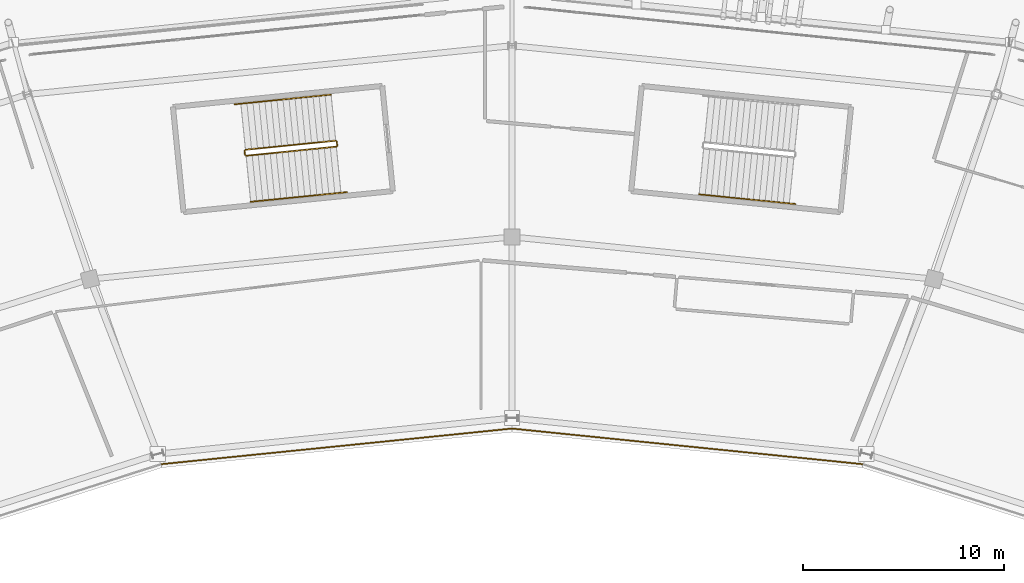
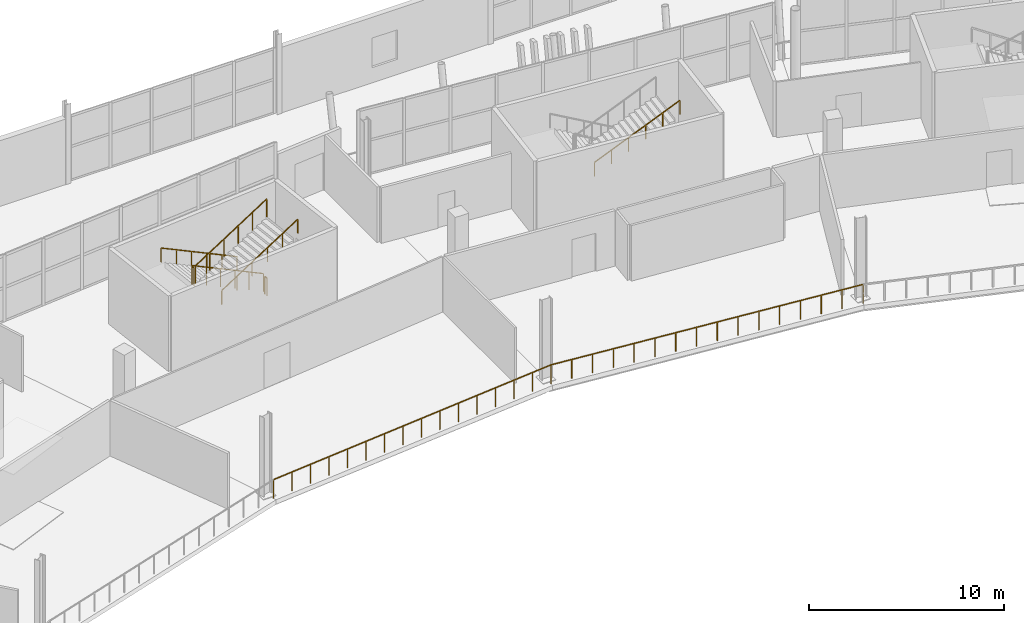
# One storey, part 175 of 179: 9 railings.
"""IFC4 building model written with IfcOpenShell, lengths in metres."""

import ifcopenshell
import ifcopenshell.guid

model = None  # the IFC model being written
_history = None  # IfcOwnerHistory: only IFC2X3 demands one
_inside = {}  # id of a spatial element -> (the spatial element, [elements in it])
_under = {}  # id of a project, library or spatial element -> (it, [spatial elements below it])
_declared = {}  # id of a project -> (the project, [libraries it declares])
_typed = {}  # id of a type object -> (the type object, [elements of that type])
_made_of = {}  # id of a material, layer set ... -> (it, [elements and type objects made of it])


def new_model(schema):
    """Start an empty IFC model of exactly this schema.

    Asked for "IFC4X3", IfcOpenShell would pick the latest addendum, in which some entities
    have other attributes; the version numbers below select the first issue.
    IFC2X3 requires an IfcOwnerHistory on every rooted entity: one is made here for all.
    """
    global model, _history
    if schema == "IFC4X3":
        model = ifcopenshell.file(schema_version=(4, 3, 0, 0))
    else:
        model = ifcopenshell.file(schema=schema)
    _inside.clear()
    _under.clear()
    _declared.clear()
    _typed.clear()
    _made_of.clear()
    _history = None
    if model.schema == "IFC2X3":
        org = make("IfcOrganization", Name="unknown")
        user = make(
            "IfcPersonAndOrganization",
            ThePerson=make("IfcPerson", FamilyName="unknown"),
            TheOrganization=org,
        )
        app = make(
            "IfcApplication",
            ApplicationDeveloper=org,
            Version="unknown",
            ApplicationFullName="unknown",
            ApplicationIdentifier="unknown",
        )
        _history = make(
            "IfcOwnerHistory",
            OwningUser=user,
            OwningApplication=app,
            ChangeAction="ADDED",
            CreationDate=0,
        )
    return model


def make(cls, **values):
    """One entity of the class cls with the attributes given. An attribute that is None is left unset."""
    return model.create_entity(
        cls, **{name: value for name, value in values.items() if value is not None}
    )


def rooted(cls, **values):
    """An entity with a GlobalId (a new one), such as an element, a storey or a relation."""
    return make(cls, GlobalId=ifcopenshell.guid.new(), OwnerHistory=_history, **values)


def si_unit(unit_type, name, prefix=None):
    """IfcSIUnit, for example si_unit("LENGTHUNIT", "METRE", prefix="MILLI")."""
    return make("IfcSIUnit", UnitType=unit_type, Prefix=prefix, Name=name)


def assignment(units):
    """IfcUnitAssignment: the units of a project."""
    return None if units is None else make("IfcUnitAssignment", Units=units)


def point(xyz):
    """IfcCartesianPoint."""
    return None if xyz is None else make("IfcCartesianPoint", Coordinates=xyz)


def direction(xyz):
    """IfcDirection."""
    return None if xyz is None else make("IfcDirection", DirectionRatios=xyz)


def frame(location, z_axis=None, x_axis=None):
    """IfcAxis2Placement3D, a coordinate frame: its origin and axes. An axis left out is left unset."""
    return make(
        "IfcAxis2Placement3D",
        Location=point(location),
        Axis=direction(z_axis),
        RefDirection=direction(x_axis),
    )


def frame_2d(location, x_axis=None):
    """IfcAxis2Placement2D, a coordinate frame in the plane: its origin and x axis."""
    return make(
        "IfcAxis2Placement2D", Location=point(location), RefDirection=direction(x_axis)
    )


def origin():
    """The frame at (0, 0, 0) with its axes left unset."""
    return frame((0.0, 0.0, 0.0))


def origin_2d():
    """The frame at (0, 0) in the plane with its x axis left unset."""
    return frame_2d((0.0, 0.0))


def place(relative_to, where):
    """IfcLocalPlacement: puts the frame where relative to a parent placement (None: the world)."""
    return make(
        "IfcLocalPlacement", PlacementRelTo=relative_to, RelativePlacement=where
    )


def context(
    kind, dimensions, precision=None, world=None, true_north=None, identifier=None
):
    """IfcGeometricRepresentationContext, for example the 3D "Model" context."""
    return make(
        "IfcGeometricRepresentationContext",
        ContextIdentifier=identifier,
        ContextType=kind,
        CoordinateSpaceDimension=dimensions,
        Precision=precision,
        WorldCoordinateSystem=world,
        TrueNorth=true_north,
    )


def subcontext(parent, identifier, kind, view, scale=None):
    """IfcGeometricRepresentationSubContext, for example "Body" below "Model"."""
    return make(
        "IfcGeometricRepresentationSubContext",
        ContextIdentifier=identifier,
        ContextType=kind,
        ParentContext=parent,
        TargetScale=scale,
        TargetView=view,
    )


def project(units=None, contexts=None):
    """IfcProject with its units and contexts."""
    return rooted(
        "IfcProject",
        Name="project",
        RepresentationContexts=contexts,
        UnitsInContext=assignment(units),
    )


def spatial(cls, under=None, at=None, **own):
    """A site, building, storey or space (cls), placed at a placement, below another one or the project."""
    s = rooted(cls, ObjectPlacement=at, **own)
    if under is not None:
        _under.setdefault(under.id(), (under, []))[1].append(s)
    return s


def profile(cls, at=None, kind="AREA", **sizes):
    """A parametric profile (cls). Its sizes go by their IFC names, for example OverallWidth=200.0."""
    return make(cls, ProfileType=kind, Position=at, **sizes)


def rectangle(**sizes):
    """IfcRectangleProfileDef."""
    return profile("IfcRectangleProfileDef", **sizes)


def extrude(swept, where, along, depth):
    """IfcExtrudedAreaSolid: the profile swept, set in the frame where, extruded along a direction by depth."""
    return make(
        "IfcExtrudedAreaSolid",
        SweptArea=swept,
        Position=where,
        ExtrudedDirection=direction(along),
        Depth=depth,
    )


def shape(context_of_items, identifier, shape_type, items):
    """IfcShapeRepresentation: the items that make up one representation, for example the "Body"."""
    return make(
        "IfcShapeRepresentation",
        ContextOfItems=context_of_items,
        RepresentationIdentifier=identifier,
        RepresentationType=shape_type,
        Items=items,
    )


def material(Name=None, Category=None):
    """IfcMaterial."""
    return make("IfcMaterial", Name=Name, Category=Category)


def made_of(thing, what):
    """Note that an element or type object is made of a material, layer set ...; save() writes the relation."""
    if what is not None:
        _made_of.setdefault(what.id(), (what, []))[1].append(thing)
    return thing


def type_object(cls, material=None, **own):
    """A type object (cls), such as IfcWallType, which elements share."""
    return made_of(rooted(cls, **own), material)


def element(
    cls,
    number,
    at=None,
    inside=None,
    cuts=None,
    type_object=None,
    material=None,
    context=None,
    identifier="Body",
    shape_type=None,
    held_by="IfcProductDefinitionShape",
    body=None,
    shapes=None,
    **own,
):
    """One element of the class cls, such as IfcWall. Its Tag is "e" and its number.

    at: its placement. inside: the storey or other place that contains it. cuts: it is an
    opening in that element (IfcRelVoidsElement). A single representation is given by context,
    identifier, shape_type and body (its items); several are given by shapes. held_by: the class
    of the entity that holds the representations. save() writes the other relations.
    """
    e = rooted(cls, Tag="e%d" % number, ObjectPlacement=at, **own)
    if body is not None:
        shapes = [shape(context, identifier, shape_type, body)]
    if shapes is not None:
        e.Representation = make(held_by, Representations=shapes)
    if inside is not None:
        _inside.setdefault(inside.id(), (inside, []))[1].append(e)
    if cuts is not None:
        rooted(
            "IfcRelVoidsElement", RelatingBuildingElement=cuts, RelatedOpeningElement=e
        )
    if type_object is not None:
        _typed.setdefault(type_object.id(), (type_object, []))[1].append(e)
    return made_of(e, material)


def aggregate(whole, parts):
    """IfcRelAggregates: a whole, such as a stair, and the parts it consists of."""
    return rooted("IfcRelAggregates", RelatingObject=whole, RelatedObjects=parts)


def save(model, path):
    """Write the relations noted so far, then the file.

    IfcRelAggregates (storeys below a building ...), IfcRelContainedInSpatialStructure (elements
    in a storey), IfcRelDefinesByType, IfcRelAssociatesMaterial and IfcRelDeclares: one each for
    every whole, place, type object, material and project.
    """
    for whole, parts in _under.values():
        aggregate(whole, parts)
    for where, things in _inside.values():
        rooted(
            "IfcRelContainedInSpatialStructure",
            RelatedElements=things,
            RelatingStructure=where,
        )
    for kind, things in _typed.values():
        rooted("IfcRelDefinesByType", RelatedObjects=things, RelatingType=kind)
    for what, things in _made_of.values():
        rooted("IfcRelAssociatesMaterial", RelatedObjects=things, RelatingMaterial=what)
    for by, libraries in _declared.values():
        rooted("IfcRelDeclares", RelatingContext=by, RelatedDefinitions=libraries)
    model.write(path)


model = new_model("IFC4")

# Units and contexts
model_context = context("Model", 3, precision=1e-05, world=origin(), true_north=direction((0.0, 1.0)))
body_context = subcontext(model_context, "Body", "Model", "MODEL_VIEW")
ifc_project = project(units=[si_unit("LENGTHUNIT", "METRE"), si_unit("AREAUNIT", "SQUARE_METRE"), si_unit("VOLUMEUNIT", "CUBIC_METRE"), si_unit("PLANEANGLEUNIT", "RADIAN"), si_unit("MASSUNIT", "GRAM", prefix="KILO")], contexts=[model_context])

# Site, building, storey
site_placement = place(None, origin())
site = spatial("IfcSite", under=ifc_project, at=site_placement, CompositionType="ELEMENT")
building_placement = place(site_placement, origin())
building = spatial("IfcBuilding", under=site, at=building_placement, Name="Zlatoyarsky Gate Stadium", CompositionType="ELEMENT")
storey_placement = place(building_placement, frame((0.0, 0.0, 10.60009765625)))
storey = spatial("IfcBuildingStorey", under=building, at=storey_placement, Name="L02", CompositionType="ELEMENT", Elevation=10.60009765625)

# Railings
ifc_material_1 = material(Name="Powder-coated steel tubular guardrail", Category="steel")
railing_type_1 = type_object("IfcRailingType", Name="CONCOURSE SLAB EDGE GUARDRAIL 1200", PredefinedType="GUARDRAIL", material=ifc_material_1)
railing_1_placement = place(storey_placement, frame((128.439208984375, 130.208740234375, 0.0)))
element("IfcRailing", 1, at=railing_1_placement, inside=storey, type_object=railing_type_1, Name="L02 inner bowl edge guardrail 05", PredefinedType="GUARDRAIL", context=body_context, shape_type="SweptSolid", body=[
    extrude(rectangle(XDim=0.048095703125, YDim=0.048095703125, at=origin_2d()), frame((0.0, 0.0, 1.17578125), z_axis=(-0.994881683928, 0.101046697049, 0.0), x_axis=(-0.101046697049, -0.994881683928, 0.0)), (0.0, 0.0, 1.0), 17.52880859375),
    extrude(rectangle(XDim=0.0419921875, YDim=0.0419921875, at=origin_2d()), origin(), (0.0, 0.0, 1.0), 1.15185546875),
    extrude(rectangle(XDim=0.0419921875, YDim=0.0419921875, at=origin_2d()), frame((-1.16259765625, 0.1181640625, 0.0)), (0.0, 0.0, 1.0), 1.15185546875),
    extrude(rectangle(XDim=0.0419921875, YDim=0.0419921875, at=origin_2d()), frame((-2.3251953125, 0.236083984375, 0.0)), (0.0, 0.0, 1.0), 1.15185546875),
    extrude(rectangle(XDim=0.0419921875, YDim=0.0419921875, at=origin_2d()), frame((-3.48779296875, 0.354248046875, 0.0)), (0.0, 0.0, 1.0), 1.15185546875),
    extrude(rectangle(XDim=0.0419921875, YDim=0.0419921875, at=origin_2d()), frame((-4.650390625, 0.472412109375, 0.0)), (0.0, 0.0, 1.0), 1.15185546875),
    extrude(rectangle(XDim=0.0419921875, YDim=0.0419921875, at=origin_2d()), frame((-5.81298828125, 0.59033203125, 0.0)), (0.0, 0.0, 1.0), 1.15185546875),
    extrude(rectangle(XDim=0.0419921875, YDim=0.0419921875, at=origin_2d()), frame((-6.9755859375, 0.70849609375, 0.0)), (0.0, 0.0, 1.0), 1.15185546875),
    extrude(rectangle(XDim=0.0419921875, YDim=0.0419921875, at=origin_2d()), frame((-8.13818359375, 0.82666015625, 0.0)), (0.0, 0.0, 1.0), 1.15185546875),
    extrude(rectangle(XDim=0.0419921875, YDim=0.0419921875, at=origin_2d()), frame((-9.301025390625, 0.944580078125, 0.0)), (0.0, 0.0, 1.0), 1.15185546875),
    extrude(rectangle(XDim=0.0419921875, YDim=0.0419921875, at=origin_2d()), frame((-10.463623046875, 1.062744140625, 0.0)), (0.0, 0.0, 1.0), 1.15185546875),
    extrude(rectangle(XDim=0.0419921875, YDim=0.0419921875, at=origin_2d()), frame((-11.626220703125, 1.180908203125, 0.0)), (0.0, 0.0, 1.0), 1.15185546875),
    extrude(rectangle(XDim=0.0419921875, YDim=0.0419921875, at=origin_2d()), frame((-12.788818359375, 1.298828125, 0.0)), (0.0, 0.0, 1.0), 1.15185546875),
    extrude(rectangle(XDim=0.0419921875, YDim=0.0419921875, at=origin_2d()), frame((-13.951416015625, 1.4169921875, 0.0)), (0.0, 0.0, 1.0), 1.15185546875),
    extrude(rectangle(XDim=0.0419921875, YDim=0.0419921875, at=origin_2d()), frame((-15.114013671875, 1.53515625, 0.0)), (0.0, 0.0, 1.0), 1.15185546875),
    extrude(rectangle(XDim=0.0419921875, YDim=0.0419921875, at=origin_2d()), frame((-16.276611328125, 1.653076171875, 0.0)), (0.0, 0.0, 1.0), 1.15185546875),
    extrude(rectangle(XDim=0.0419921875, YDim=0.0419921875, at=origin_2d()), frame((-17.439208984375, 1.771240234375, 0.0)), (0.0, 0.0, 1.0), 1.15185546875),
])
railing_2_placement = place(storey_placement, frame((111.0, 131.97998046875, 0.0)))
element("IfcRailing", 2, at=railing_2_placement, inside=storey, type_object=railing_type_1, Name="L02 inner bowl edge guardrail 06", PredefinedType="GUARDRAIL", context=body_context, shape_type="SweptSolid", body=[
    extrude(rectangle(XDim=0.048095703125, YDim=0.048095703125, at=origin_2d()), frame((0.0, 0.0, 1.17578125), z_axis=(-0.994881683928, -0.101046697049, 0.0), x_axis=(0.101046697049, -0.994881683928, 0.0)), (0.0, 0.0, 1.0), 17.52880859375),
    extrude(rectangle(XDim=0.0419921875, YDim=0.0419921875, at=origin_2d()), origin(), (0.0, 0.0, 1.0), 1.15185546875),
    extrude(rectangle(XDim=0.0419921875, YDim=0.0419921875, at=origin_2d()), frame((-1.16259765625, -0.1181640625, 0.0)), (0.0, 0.0, 1.0), 1.15185546875),
    extrude(rectangle(XDim=0.0419921875, YDim=0.0419921875, at=origin_2d()), frame((-2.3251953125, -0.236083984375, 0.0)), (0.0, 0.0, 1.0), 1.15185546875),
    extrude(rectangle(XDim=0.0419921875, YDim=0.0419921875, at=origin_2d()), frame((-3.48779296875, -0.354248046875, 0.0)), (0.0, 0.0, 1.0), 1.15185546875),
    extrude(rectangle(XDim=0.0419921875, YDim=0.0419921875, at=origin_2d()), frame((-4.650390625, -0.472412109375, 0.0)), (0.0, 0.0, 1.0), 1.15185546875),
    extrude(rectangle(XDim=0.0419921875, YDim=0.0419921875, at=origin_2d()), frame((-5.81298828125, -0.59033203125, 0.0)), (0.0, 0.0, 1.0), 1.15185546875),
    extrude(rectangle(XDim=0.0419921875, YDim=0.0419921875, at=origin_2d()), frame((-6.9755859375, -0.70849609375, 0.0)), (0.0, 0.0, 1.0), 1.15185546875),
    extrude(rectangle(XDim=0.0419921875, YDim=0.0419921875, at=origin_2d()), frame((-8.13818359375, -0.82666015625, 0.0)), (0.0, 0.0, 1.0), 1.15185546875),
    extrude(rectangle(XDim=0.0419921875, YDim=0.0419921875, at=origin_2d()), frame((-9.301025390625, -0.944580078125, 0.0)), (0.0, 0.0, 1.0), 1.15185546875),
    extrude(rectangle(XDim=0.0419921875, YDim=0.0419921875, at=origin_2d()), frame((-10.463623046875, -1.062744140625, 0.0)), (0.0, 0.0, 1.0), 1.15185546875),
    extrude(rectangle(XDim=0.0419921875, YDim=0.0419921875, at=origin_2d()), frame((-11.626220703125, -1.180908203125, 0.0)), (0.0, 0.0, 1.0), 1.15185546875),
    extrude(rectangle(XDim=0.0419921875, YDim=0.0419921875, at=origin_2d()), frame((-12.788818359375, -1.298828125, 0.0)), (0.0, 0.0, 1.0), 1.15185546875),
    extrude(rectangle(XDim=0.0419921875, YDim=0.0419921875, at=origin_2d()), frame((-13.951416015625, -1.4169921875, 0.0)), (0.0, 0.0, 1.0), 1.15185546875),
    extrude(rectangle(XDim=0.0419921875, YDim=0.0419921875, at=origin_2d()), frame((-15.114013671875, -1.53515625, 0.0)), (0.0, 0.0, 1.0), 1.15185546875),
    extrude(rectangle(XDim=0.0419921875, YDim=0.0419921875, at=origin_2d()), frame((-16.276611328125, -1.653076171875, 0.0)), (0.0, 0.0, 1.0), 1.15185546875),
    extrude(rectangle(XDim=0.0419921875, YDim=0.0419921875, at=origin_2d()), frame((-17.439208984375, -1.771240234375, 0.0)), (0.0, 0.0, 1.0), 1.15185546875),
])
ifc_material_2 = material(Name="Powder-coated steel stair guardrail", Category="steel")
railing_type_2 = type_object("IfcRailingType", Name="PAINTED STEEL STAIR WELL GUARDRAIL 1150", PredefinedType="GUARDRAIL", material=ifc_material_2)
railing_3_placement = place(storey_placement, frame((102.239013671875, 146.282470703125, 0.15625)))
element("IfcRailing", 3, at=railing_3_placement, inside=storey, type_object=railing_type_2, Name="ST-04 L02 stair guard 1", PredefinedType="GUARDRAIL", context=body_context, shape_type="SweptSolid", body=[
    extrude(rectangle(XDim=0.048095703125, YDim=0.048095703125, at=origin_2d()), frame((0.0, 0.0, 1.1259765625), z_axis=(-0.882473293179, -0.088680386005, 0.461927132743), x_axis=(0.099987144365, -0.994988729063, 0.0)), (0.0, 0.0, 1.0), 5.07373046875),
    extrude(rectangle(XDim=0.0419921875, YDim=0.0419921875, at=origin_2d()), origin(), (0.0, 0.0, 1.0), 1.101806640625),
    extrude(rectangle(XDim=0.0419921875, YDim=0.0419921875, at=origin_2d()), frame((-0.8955078125, -0.090087890625, 0.46875)), (0.0, 0.0, 1.0), 1.101806640625),
    extrude(rectangle(XDim=0.0419921875, YDim=0.0419921875, at=origin_2d()), frame((-1.791015625, -0.179931640625, 0.9375)), (0.0, 0.0, 1.0), 1.101806640625),
    extrude(rectangle(XDim=0.0419921875, YDim=0.0419921875, at=origin_2d()), frame((-2.6865234375, -0.27001953125, 1.40625)), (0.0, 0.0, 1.0), 1.101806640625),
    extrude(rectangle(XDim=0.0419921875, YDim=0.0419921875, at=origin_2d()), frame((-3.58203125, -0.35986328125, 1.875)), (0.0, 0.0, 1.0), 1.101806640625),
    extrude(rectangle(XDim=0.0419921875, YDim=0.0419921875, at=origin_2d()), frame((-4.4775390625, -0.449951171875, 2.34375)), (0.0, 0.0, 1.0), 1.101806640625),
])
railing_4_placement = place(storey_placement, frame((97.716796875, 145.77783203125, 2.5)))
element("IfcRailing", 4, at=railing_4_placement, inside=storey, type_object=railing_type_2, Name="ST-04 L02 stair guard 2", PredefinedType="GUARDRAIL", context=body_context, shape_type="SweptSolid", body=[
    extrude(rectangle(XDim=0.048095703125, YDim=0.048095703125, at=origin_2d()), frame((0.0, 0.0, 1.1259765625), z_axis=(0.100108072026, -0.994976569531, 0.0), x_axis=(0.994976569531, 0.100108072026, 0.0)), (0.0, 0.0, 1.0), 0.199951171875),
    extrude(rectangle(XDim=0.0419921875, YDim=0.0419921875, at=origin_2d()), origin(), (0.0, 0.0, 1.0), 1.101806640625),
    extrude(rectangle(XDim=0.0419921875, YDim=0.0419921875, at=origin_2d()), frame((0.02001953125, -0.198974609375, 0.0)), (0.0, 0.0, 1.0), 1.101806640625),
])
railing_5_placement = place(storey_placement, frame((97.79150390625, 145.533935546875, 2.65625)))
element("IfcRailing", 5, at=railing_5_placement, inside=storey, type_object=railing_type_2, Name="ST-04 L02 stair guard 3", PredefinedType="GUARDRAIL", context=body_context, shape_type="SweptSolid", body=[
    extrude(rectangle(XDim=0.048095703125, YDim=0.048095703125, at=origin_2d()), frame((0.0, 0.0, 1.1259765625), z_axis=(0.882458880114, 0.088731892411, 0.461944776111), x_axis=(-0.100046254416, 0.994982787277, 0.0)), (0.0, 0.0, 1.0), 5.07373046875),
    extrude(rectangle(XDim=0.0419921875, YDim=0.0419921875, at=origin_2d()), origin(), (0.0, 0.0, 1.0), 1.101806640625),
    extrude(rectangle(XDim=0.0419921875, YDim=0.0419921875, at=origin_2d()), frame((0.8955078125, 0.090087890625, 0.46875)), (0.0, 0.0, 1.0), 1.101806640625),
    extrude(rectangle(XDim=0.0419921875, YDim=0.0419921875, at=origin_2d()), frame((1.791015625, 0.18017578125, 0.9375)), (0.0, 0.0, 1.0), 1.101806640625),
    extrude(rectangle(XDim=0.0419921875, YDim=0.0419921875, at=origin_2d()), frame((2.686279296875, 0.27001953125, 1.40625)), (0.0, 0.0, 1.0), 1.101806640625),
    extrude(rectangle(XDim=0.0419921875, YDim=0.0419921875, at=origin_2d()), frame((3.581787109375, 0.360107421875, 1.875)), (0.0, 0.0, 1.0), 1.101806640625),
    extrude(rectangle(XDim=0.0419921875, YDim=0.0419921875, at=origin_2d()), frame((4.477294921875, 0.4501953125, 2.34375)), (0.0, 0.0, 1.0), 1.101806640625),
])
railing_6_placement = place(storey_placement, frame((102.293701171875, 146.23779296875, 0.0)))
element("IfcRailing", 6, at=railing_6_placement, inside=storey, type_object=railing_type_2, Name="ST-04 L02 stair guard 4", PredefinedType="GUARDRAIL", context=body_context, shape_type="SweptSolid", body=[
    extrude(rectangle(XDim=0.048095703125, YDim=0.048095703125, at=origin_2d()), frame((0.0, 0.0, 1.1259765625), z_axis=(0.100108072026, -0.994976569531, 0.0), x_axis=(0.994976569531, 0.100108072026, 0.0)), (0.0, 0.0, 1.0), 0.199951171875),
    extrude(rectangle(XDim=0.0419921875, YDim=0.0419921875, at=origin_2d()), origin(), (0.0, 0.0, 1.0), 1.101806640625),
    extrude(rectangle(XDim=0.0419921875, YDim=0.0419921875, at=origin_2d()), frame((0.02001953125, -0.198974609375, 0.0)), (0.0, 0.0, 1.0), 1.101806640625),
])
ifc_material_3 = material(Name="Brushed stainless steel 316 handrail", Category="steel")
railing_type_3 = type_object("IfcRailingType", Name="STAINLESS STEEL TUBULAR HANDRAIL 900", PredefinedType="HANDRAIL", material=ifc_material_3)
railing_7_placement = place(storey_placement, frame((102.0087890625, 148.571044921875, 0.16015625)))
element("IfcRailing", 7, at=railing_7_placement, inside=storey, type_object=railing_type_3, Name="ST-04 L02 stair handrail 1", PredefinedType="HANDRAIL", context=body_context, shape_type="SweptSolid", body=[
    extrude(rectangle(XDim=0.048095703125, YDim=0.048095703125, at=origin_2d()), frame((0.0, 0.0, 0.8759765625), z_axis=(-0.882466168718, -0.08868870707, 0.461939145674), x_axis=(0.099997231792, -0.994987715318, 0.0)), (0.0, 0.0, 1.0), 5.411865234375),
    extrude(rectangle(XDim=0.0419921875, YDim=0.0419921875, at=origin_2d()), origin(), (0.0, 0.0, 1.0), 0.851806640625),
    extrude(rectangle(XDim=0.0419921875, YDim=0.0419921875, at=origin_2d()), frame((-0.955078125, -0.095947265625, 0.5)), (0.0, 0.0, 1.0), 0.851806640625),
    extrude(rectangle(XDim=0.0419921875, YDim=0.0419921875, at=origin_2d()), frame((-1.910400390625, -0.19189453125, 1.0)), (0.0, 0.0, 1.0), 0.851806640625),
    extrude(rectangle(XDim=0.0419921875, YDim=0.0419921875, at=origin_2d()), frame((-2.865478515625, -0.2880859375, 1.5)), (0.0, 0.0, 1.0), 0.851806640625),
    extrude(rectangle(XDim=0.0419921875, YDim=0.0419921875, at=origin_2d()), frame((-3.82080078125, -0.384033203125, 2.0)), (0.0, 0.0, 1.0), 0.851806640625),
    extrude(rectangle(XDim=0.0419921875, YDim=0.0419921875, at=origin_2d()), frame((-4.77587890625, -0.47998046875, 2.5)), (0.0, 0.0, 1.0), 0.851806640625),
])
railing_8_placement = place(storey_placement, frame((98.021484375, 143.24560546875, 2.66015625)))
element("IfcRailing", 8, at=railing_8_placement, inside=storey, type_object=railing_type_3, Name="ST-04 L02 stair handrail 2", PredefinedType="HANDRAIL", context=body_context, shape_type="SweptSolid", body=[
    extrude(rectangle(XDim=0.048095703125, YDim=0.048095703125, at=origin_2d()), frame((0.0, 0.0, 0.8759765625), z_axis=(0.882466168718, 0.08868870707, 0.461939145674), x_axis=(-0.099997231792, 0.994987715318, 0.0)), (0.0, 0.0, 1.0), 5.411865234375),
    extrude(rectangle(XDim=0.0419921875, YDim=0.0419921875, at=origin_2d()), origin(), (0.0, 0.0, 1.0), 0.851806640625),
    extrude(rectangle(XDim=0.0419921875, YDim=0.0419921875, at=origin_2d()), frame((0.955078125, 0.095947265625, 0.5)), (0.0, 0.0, 1.0), 0.851806640625),
    extrude(rectangle(XDim=0.0419921875, YDim=0.0419921875, at=origin_2d()), frame((1.910400390625, 0.19189453125, 1.0)), (0.0, 0.0, 1.0), 0.851806640625),
    extrude(rectangle(XDim=0.0419921875, YDim=0.0419921875, at=origin_2d()), frame((2.865478515625, 0.2880859375, 1.5)), (0.0, 0.0, 1.0), 0.851806640625),
    extrude(rectangle(XDim=0.0419921875, YDim=0.0419921875, at=origin_2d()), frame((3.82080078125, 0.384033203125, 2.0)), (0.0, 0.0, 1.0), 0.851806640625),
    extrude(rectangle(XDim=0.0419921875, YDim=0.0419921875, at=origin_2d()), frame((4.77587890625, 0.47998046875, 2.5)), (0.0, 0.0, 1.0), 0.851806640625),
])
railing_9_placement = place(storey_placement, frame((120.297119140625, 143.61572265625, 2.66015625)))
element("IfcRailing", 9, at=railing_9_placement, inside=storey, type_object=railing_type_3, Name="ST-17 L02 stair handrail 2", PredefinedType="HANDRAIL", context=body_context, shape_type="SweptSolid", body=[
    extrude(rectangle(XDim=0.048095703125, YDim=0.048095703125, at=origin_2d()), frame((0.0, 0.0, 0.8759765625), z_axis=(0.882466168718, -0.08868870707, 0.461939145674), x_axis=(0.099997231792, 0.994987715318, 0.0)), (0.0, 0.0, 1.0), 5.411865234375),
    extrude(rectangle(XDim=0.0419921875, YDim=0.0419921875, at=origin_2d()), origin(), (0.0, 0.0, 1.0), 0.851806640625),
    extrude(rectangle(XDim=0.0419921875, YDim=0.0419921875, at=origin_2d()), frame((0.955078125, -0.095947265625, 0.5)), (0.0, 0.0, 1.0), 0.851806640625),
    extrude(rectangle(XDim=0.0419921875, YDim=0.0419921875, at=origin_2d()), frame((1.910400390625, -0.19189453125, 1.0)), (0.0, 0.0, 1.0), 0.851806640625),
    extrude(rectangle(XDim=0.0419921875, YDim=0.0419921875, at=origin_2d()), frame((2.865478515625, -0.2880859375, 1.5)), (0.0, 0.0, 1.0), 0.851806640625),
    extrude(rectangle(XDim=0.0419921875, YDim=0.0419921875, at=origin_2d()), frame((3.82080078125, -0.384033203125, 2.0)), (0.0, 0.0, 1.0), 0.851806640625),
    extrude(rectangle(XDim=0.0419921875, YDim=0.0419921875, at=origin_2d()), frame((4.77587890625, -0.47998046875, 2.5)), (0.0, 0.0, 1.0), 0.851806640625),
])

save(model, "model.ifc")
